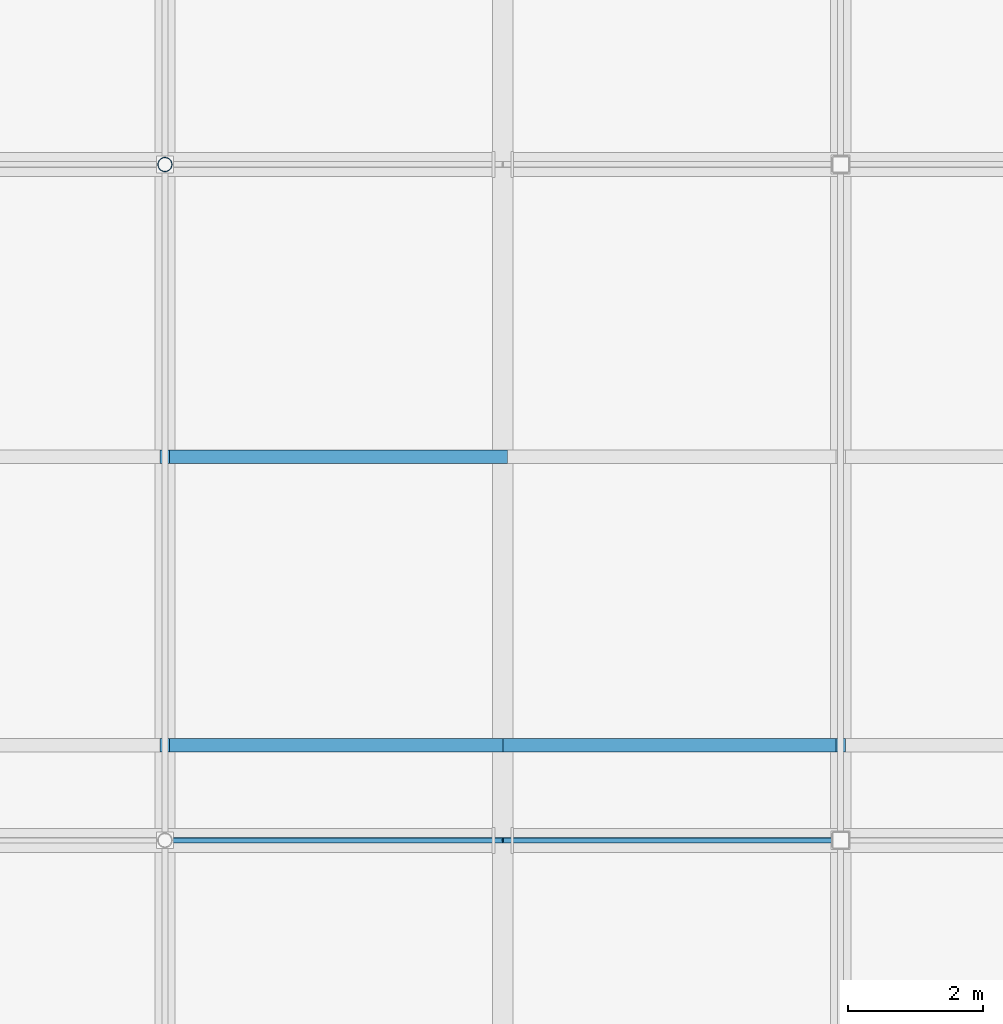
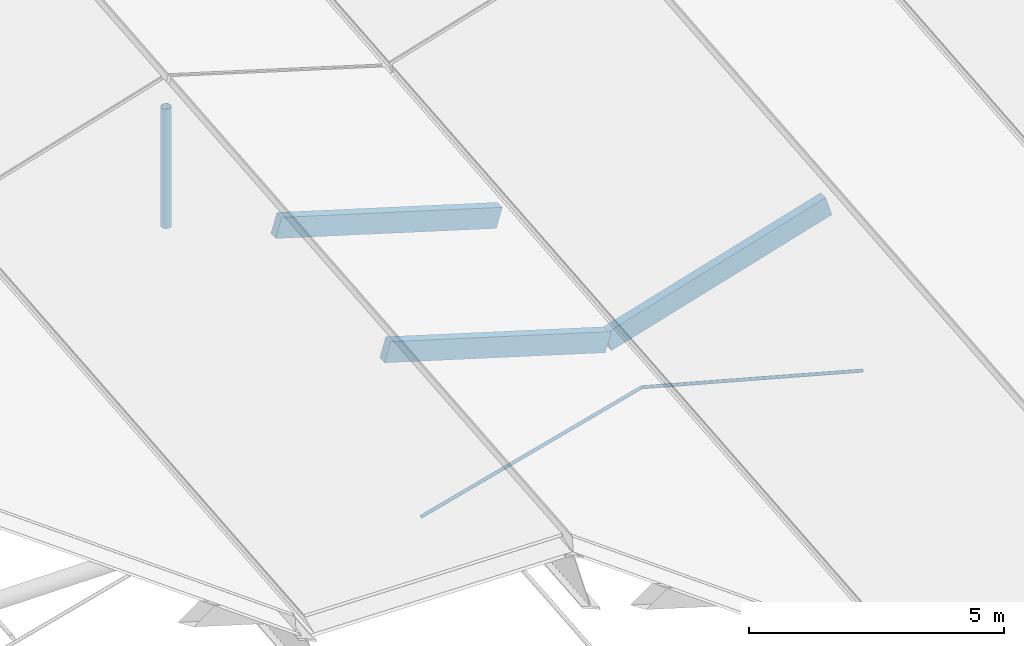
# One storey, part 29 of 90: 6 members.
"""IFC4 building model written with IfcOpenShell, lengths in metres."""

from ifc_helpers import new_model, si_unit, direction, frame, origin, origin_2d, place, context, subcontext, project, spatial, rectangle, circle, hollow_circle, extrude, material, material_profile, profile_set, type_object, element, save


model = new_model("IFC4")

# Units and contexts
model_context = context("Model", 3, precision=1e-05, world=origin(), true_north=direction((0.0, 1.0)))
body_context = subcontext(model_context, "Body", "Model", "MODEL_VIEW")
ifc_project = project(units=[si_unit("LENGTHUNIT", "METRE"), si_unit("AREAUNIT", "SQUARE_METRE"), si_unit("VOLUMEUNIT", "CUBIC_METRE"), si_unit("PLANEANGLEUNIT", "RADIAN"), si_unit("MASSUNIT", "GRAM", prefix="KILO"), si_unit("THERMODYNAMICTEMPERATUREUNIT", "KELVIN"), si_unit("POWERUNIT", "WATT")], contexts=[model_context])

# Site, building, storey
site_placement = place(None, origin())
site = spatial("IfcSite", under=ifc_project, at=site_placement, CompositionType="ELEMENT")
building_placement = place(site_placement, origin())
building = spatial("IfcBuilding", under=site, at=building_placement, Name="Korenveer Ferry Terminal", CompositionType="ELEMENT")
storey_placement = place(building_placement, frame((0.0, 0.0, 22.199951171875)))
storey = spatial("IfcBuildingStorey", under=building, at=storey_placement, Name="RF", CompositionType="ELEMENT", Elevation=22.199951171875)

# Members
ifc_material_1 = material(Name="High-strength steel S460", Category="steel")
ifc_material_profile_1 = material_profile(ifc_material_1, circle(Radius=0.0380859375, at=origin_2d()), Name="ROD D76")
ifc_profile_set_1 = profile_set([ifc_material_profile_1], Name="High-strength steel S460")
member_type_1 = type_object("IfcMemberType", Name="STR-CBL-D76", PredefinedType="USERDEFINED", material=ifc_profile_set_1)
for number, where, z_axis, x_axis, name in (
    (1, (83.0, 70.0, -6.861572265625), (-0.965424337217, 0.0, -0.260683426993), (0.0, -1.0, 0.0), "Roof tension tie cable 48"),
    (2, (83.0, 70.0, -6.861572265625), (0.965424337217, 0.0, -0.260683426993), (0.0, 1.0, 0.0), "Roof tension tie cable 49"),
):
    element("IfcMember", number, at=place(storey_placement, frame(where, z_axis=z_axis, x_axis=x_axis)), inside=storey, type_object=member_type_1, Name=name, ObjectType="CABLE", PredefinedType="USERDEFINED", context=body_context, shape_type="SweptSolid", body=[
        extrude(circle(Radius=0.0380859375, at=origin_2d()), origin(), (0.0, 0.0, 1.0), 5.178955078125),
    ])
ifc_material_2 = material(Name="Glulam GL28h", Category="wood")
ifc_material_profile_2 = material_profile(ifc_material_2, rectangle(XDim=0.199951171875, YDim=0.47998046875, at=origin_2d()), Name="GL 200x480")
ifc_profile_set_2 = profile_set([ifc_material_profile_2], Name="Glulam GL28h")
member_type_2 = type_object("IfcMemberType", Name="STR-PUR-GL200", PredefinedType="PURLIN", material=ifc_profile_set_2)
for number, where, z_axis, x_axis, name in (
    (3, (78.0, 71.4072265625, -5.06591796875), (0.957323074362, 0.0, -0.289019949647), (0.0, 1.0, 0.0), "Folded roof glulam purlin 95"),
    (4, (78.0, 75.678466796875, -4.677978515625), (0.957310140112, 0.0, -0.289062788401), (0.0, 1.0, 0.0), "Folded roof glulam purlin 96"),
    (5, (83.0, 71.4072265625, -6.575439453125), (0.957323074362, 0.0, 0.289019949647), (0.0, 1.0, 0.0), "Folded roof glulam purlin 125"),
):
    element("IfcMember", number, at=place(storey_placement, frame(where, z_axis=z_axis, x_axis=x_axis)), inside=storey, type_object=member_type_2, Name=name, PredefinedType="PURLIN", context=body_context, shape_type="SweptSolid", body=[
        extrude(rectangle(XDim=0.199951171875, YDim=0.47998046875, at=origin_2d()), origin(), (0.0, 0.0, 1.0), 5.222900390625),
    ])
ifc_material_3 = material(Name="Steel S355", Category="steel")
ifc_material_profile_3 = material_profile(ifc_material_3, hollow_circle(Radius=0.109619140625, WallThickness=0.012451171875, at=origin_2d()), Name="CHS 219.1x12.5")
ifc_profile_set_3 = profile_set([ifc_material_profile_3], Name="Steel S355")
member_type_3 = type_object("IfcMemberType", Name="STR-STT-CHS219", PredefinedType="STRUT", material=ifc_profile_set_3)
member_placement = place(storey_placement, frame((78.0, 80.0, -7.3037109375), z_axis=(0.0, 0.0, 1.0), x_axis=(1.0, 0.0, 0.0)))
element("IfcMember", 6, at=member_placement, inside=storey, type_object=member_type_3, Name="Roof king-post strut STTKP-Y80-B2", PredefinedType="STRUT", context=body_context, shape_type="SweptSolid", body=[
    extrude(hollow_circle(Radius=0.109619140625, WallThickness=0.012451171875, at=origin_2d()), origin(), (0.0, 0.0, 1.0), 2.85986328125),
])

save(model, "model.ifc")
